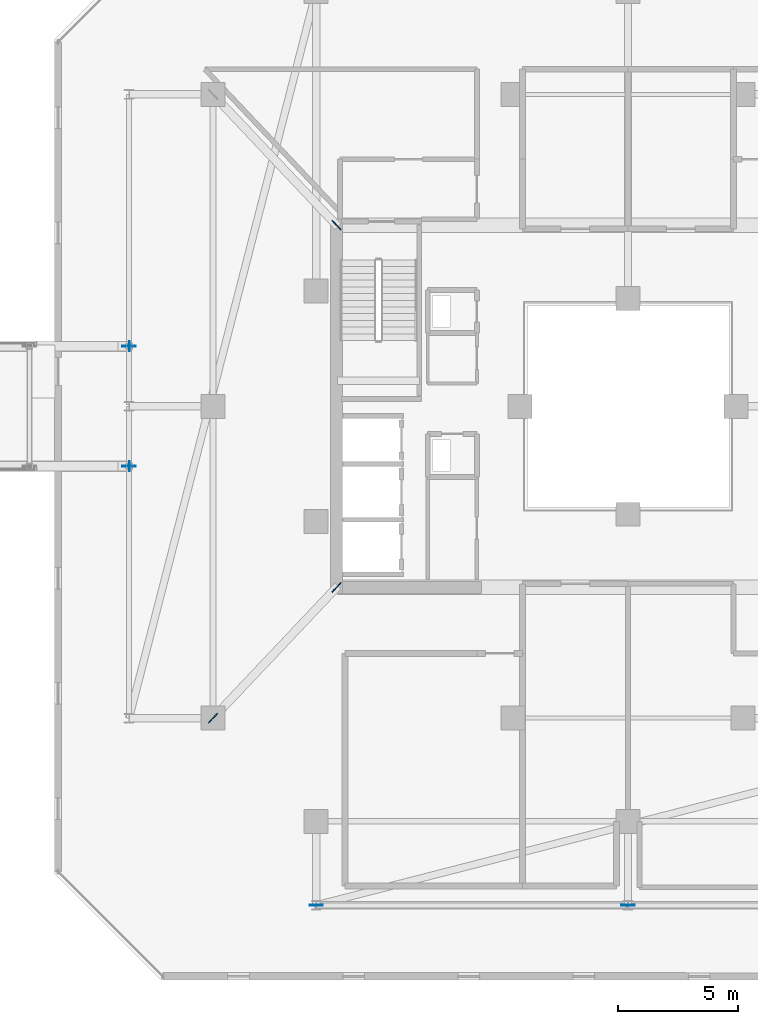
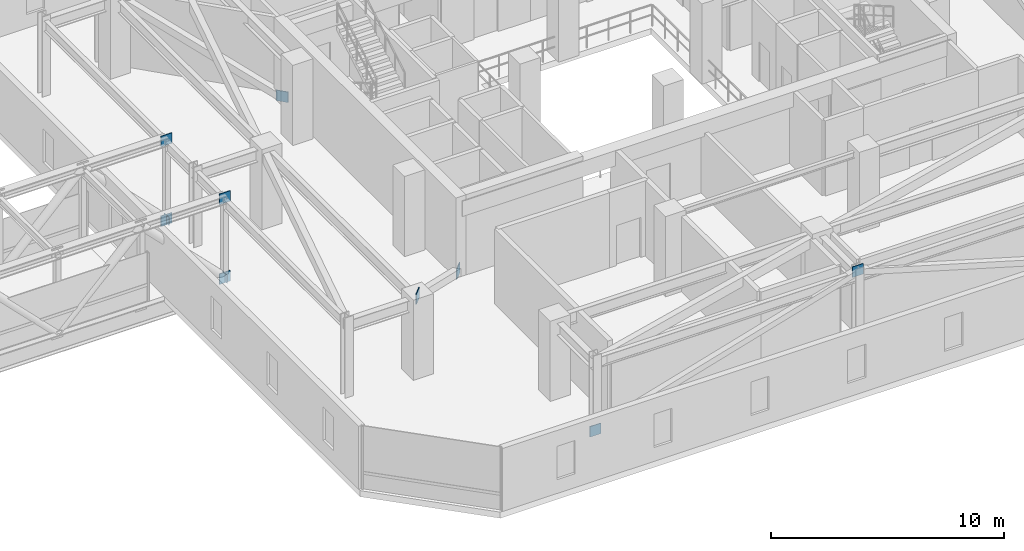
# One storey, part 31 of 42: 11 plates.
"""IFC4 building model written with IfcOpenShell, lengths in metres."""

import ifcopenshell
import ifcopenshell.guid

model = None  # the IFC model being written
_history = None  # IfcOwnerHistory: only IFC2X3 demands one
_inside = {}  # id of a spatial element -> (the spatial element, [elements in it])
_under = {}  # id of a project, library or spatial element -> (it, [spatial elements below it])
_declared = {}  # id of a project -> (the project, [libraries it declares])
_typed = {}  # id of a type object -> (the type object, [elements of that type])
_made_of = {}  # id of a material, layer set ... -> (it, [elements and type objects made of it])


def new_model(schema):
    """Start an empty IFC model of exactly this schema.

    Asked for "IFC4X3", IfcOpenShell would pick the latest addendum, in which some entities
    have other attributes; the version numbers below select the first issue.
    IFC2X3 requires an IfcOwnerHistory on every rooted entity: one is made here for all.
    """
    global model, _history
    if schema == "IFC4X3":
        model = ifcopenshell.file(schema_version=(4, 3, 0, 0))
    else:
        model = ifcopenshell.file(schema=schema)
    _inside.clear()
    _under.clear()
    _declared.clear()
    _typed.clear()
    _made_of.clear()
    _history = None
    if model.schema == "IFC2X3":
        org = make("IfcOrganization", Name="unknown")
        user = make(
            "IfcPersonAndOrganization",
            ThePerson=make("IfcPerson", FamilyName="unknown"),
            TheOrganization=org,
        )
        app = make(
            "IfcApplication",
            ApplicationDeveloper=org,
            Version="unknown",
            ApplicationFullName="unknown",
            ApplicationIdentifier="unknown",
        )
        _history = make(
            "IfcOwnerHistory",
            OwningUser=user,
            OwningApplication=app,
            ChangeAction="ADDED",
            CreationDate=0,
        )
    return model


def make(cls, **values):
    """One entity of the class cls with the attributes given. An attribute that is None is left unset."""
    return model.create_entity(
        cls, **{name: value for name, value in values.items() if value is not None}
    )


def rooted(cls, **values):
    """An entity with a GlobalId (a new one), such as an element, a storey or a relation."""
    return make(cls, GlobalId=ifcopenshell.guid.new(), OwnerHistory=_history, **values)


def si_unit(unit_type, name, prefix=None):
    """IfcSIUnit, for example si_unit("LENGTHUNIT", "METRE", prefix="MILLI")."""
    return make("IfcSIUnit", UnitType=unit_type, Prefix=prefix, Name=name)


def assignment(units):
    """IfcUnitAssignment: the units of a project."""
    return None if units is None else make("IfcUnitAssignment", Units=units)


def point(xyz):
    """IfcCartesianPoint."""
    return None if xyz is None else make("IfcCartesianPoint", Coordinates=xyz)


def direction(xyz):
    """IfcDirection."""
    return None if xyz is None else make("IfcDirection", DirectionRatios=xyz)


def frame(location, z_axis=None, x_axis=None):
    """IfcAxis2Placement3D, a coordinate frame: its origin and axes. An axis left out is left unset."""
    return make(
        "IfcAxis2Placement3D",
        Location=point(location),
        Axis=direction(z_axis),
        RefDirection=direction(x_axis),
    )


def frame_2d(location, x_axis=None):
    """IfcAxis2Placement2D, a coordinate frame in the plane: its origin and x axis."""
    return make(
        "IfcAxis2Placement2D", Location=point(location), RefDirection=direction(x_axis)
    )


def origin():
    """The frame at (0, 0, 0) with its axes left unset."""
    return frame((0.0, 0.0, 0.0))


def origin_2d():
    """The frame at (0, 0) in the plane with its x axis left unset."""
    return frame_2d((0.0, 0.0))


def place(relative_to, where):
    """IfcLocalPlacement: puts the frame where relative to a parent placement (None: the world)."""
    return make(
        "IfcLocalPlacement", PlacementRelTo=relative_to, RelativePlacement=where
    )


def context(
    kind, dimensions, precision=None, world=None, true_north=None, identifier=None
):
    """IfcGeometricRepresentationContext, for example the 3D "Model" context."""
    return make(
        "IfcGeometricRepresentationContext",
        ContextIdentifier=identifier,
        ContextType=kind,
        CoordinateSpaceDimension=dimensions,
        Precision=precision,
        WorldCoordinateSystem=world,
        TrueNorth=true_north,
    )


def subcontext(parent, identifier, kind, view, scale=None):
    """IfcGeometricRepresentationSubContext, for example "Body" below "Model"."""
    return make(
        "IfcGeometricRepresentationSubContext",
        ContextIdentifier=identifier,
        ContextType=kind,
        ParentContext=parent,
        TargetScale=scale,
        TargetView=view,
    )


def project(units=None, contexts=None):
    """IfcProject with its units and contexts."""
    return rooted(
        "IfcProject",
        Name="project",
        RepresentationContexts=contexts,
        UnitsInContext=assignment(units),
    )


def spatial(cls, under=None, at=None, **own):
    """A site, building, storey or space (cls), placed at a placement, below another one or the project."""
    s = rooted(cls, ObjectPlacement=at, **own)
    if under is not None:
        _under.setdefault(under.id(), (under, []))[1].append(s)
    return s


def profile(cls, at=None, kind="AREA", **sizes):
    """A parametric profile (cls). Its sizes go by their IFC names, for example OverallWidth=200.0."""
    return make(cls, ProfileType=kind, Position=at, **sizes)


def rectangle(**sizes):
    """IfcRectangleProfileDef."""
    return profile("IfcRectangleProfileDef", **sizes)


def extrude(swept, where, along, depth):
    """IfcExtrudedAreaSolid: the profile swept, set in the frame where, extruded along a direction by depth."""
    return make(
        "IfcExtrudedAreaSolid",
        SweptArea=swept,
        Position=where,
        ExtrudedDirection=direction(along),
        Depth=depth,
    )


def shape(context_of_items, identifier, shape_type, items):
    """IfcShapeRepresentation: the items that make up one representation, for example the "Body"."""
    return make(
        "IfcShapeRepresentation",
        ContextOfItems=context_of_items,
        RepresentationIdentifier=identifier,
        RepresentationType=shape_type,
        Items=items,
    )


def material(Name=None, Category=None):
    """IfcMaterial."""
    return make("IfcMaterial", Name=Name, Category=Category)


def layer(
    of_material, thickness, ventilated=None, Name=None, Category=None, Priority=None
):
    """IfcMaterialLayer: one layer of a wall or slab, of a material (None: an air gap)."""
    return make(
        "IfcMaterialLayer",
        Material=of_material,
        LayerThickness=thickness,
        IsVentilated=ventilated,
        Name=Name,
        Category=Category,
        Priority=Priority,
    )


def layer_set(layers, Name=None):
    """IfcMaterialLayerSet."""
    return make("IfcMaterialLayerSet", MaterialLayers=layers, LayerSetName=Name)


def made_of(thing, what):
    """Note that an element or type object is made of a material, layer set ...; save() writes the relation."""
    if what is not None:
        _made_of.setdefault(what.id(), (what, []))[1].append(thing)
    return thing


def type_object(cls, material=None, **own):
    """A type object (cls), such as IfcWallType, which elements share."""
    return made_of(rooted(cls, **own), material)


def element(
    cls,
    number,
    at=None,
    inside=None,
    cuts=None,
    type_object=None,
    material=None,
    context=None,
    identifier="Body",
    shape_type=None,
    held_by="IfcProductDefinitionShape",
    body=None,
    shapes=None,
    **own,
):
    """One element of the class cls, such as IfcWall. Its Tag is "e" and its number.

    at: its placement. inside: the storey or other place that contains it. cuts: it is an
    opening in that element (IfcRelVoidsElement). A single representation is given by context,
    identifier, shape_type and body (its items); several are given by shapes. held_by: the class
    of the entity that holds the representations. save() writes the other relations.
    """
    e = rooted(cls, Tag="e%d" % number, ObjectPlacement=at, **own)
    if body is not None:
        shapes = [shape(context, identifier, shape_type, body)]
    if shapes is not None:
        e.Representation = make(held_by, Representations=shapes)
    if inside is not None:
        _inside.setdefault(inside.id(), (inside, []))[1].append(e)
    if cuts is not None:
        rooted(
            "IfcRelVoidsElement", RelatingBuildingElement=cuts, RelatedOpeningElement=e
        )
    if type_object is not None:
        _typed.setdefault(type_object.id(), (type_object, []))[1].append(e)
    return made_of(e, material)


def aggregate(whole, parts):
    """IfcRelAggregates: a whole, such as a stair, and the parts it consists of."""
    return rooted("IfcRelAggregates", RelatingObject=whole, RelatedObjects=parts)


def save(model, path):
    """Write the relations noted so far, then the file.

    IfcRelAggregates (storeys below a building ...), IfcRelContainedInSpatialStructure (elements
    in a storey), IfcRelDefinesByType, IfcRelAssociatesMaterial and IfcRelDeclares: one each for
    every whole, place, type object, material and project.
    """
    for whole, parts in _under.values():
        aggregate(whole, parts)
    for where, things in _inside.values():
        rooted(
            "IfcRelContainedInSpatialStructure",
            RelatedElements=things,
            RelatingStructure=where,
        )
    for kind, things in _typed.values():
        rooted("IfcRelDefinesByType", RelatedObjects=things, RelatingType=kind)
    for what, things in _made_of.values():
        rooted("IfcRelAssociatesMaterial", RelatedObjects=things, RelatingMaterial=what)
    for by, libraries in _declared.values():
        rooted("IfcRelDeclares", RelatingContext=by, RelatedDefinitions=libraries)
    model.write(path)


model = new_model("IFC4")

# Units and contexts
model_context = context("Model", 3, precision=1e-05, world=origin(), true_north=direction((0.0, 1.0)))
body_context = subcontext(model_context, "Body", "Model", "MODEL_VIEW")
ifc_project = project(units=[si_unit("LENGTHUNIT", "METRE"), si_unit("AREAUNIT", "SQUARE_METRE"), si_unit("VOLUMEUNIT", "CUBIC_METRE"), si_unit("PLANEANGLEUNIT", "RADIAN"), si_unit("MASSUNIT", "GRAM", prefix="KILO")], contexts=[model_context])

# Site, building, storey
site_placement = place(None, origin())
site = spatial("IfcSite", under=ifc_project, at=site_placement, CompositionType="ELEMENT")
building_placement = place(site_placement, origin())
building = spatial("IfcBuilding", under=site, at=building_placement, Name="Thornwick Lancets Civic Towers", CompositionType="ELEMENT")
storey_placement = place(building_placement, frame((0.0, 0.0, 221.699951171875)))
storey = spatial("IfcBuildingStorey", under=building, at=storey_placement, Name="L59", CompositionType="ELEMENT", Elevation=221.699951171875)

# Plates
ifc_material_1 = material(Name="Steel S355JR", Category="steel")
ifc_layer_1 = layer(ifc_material_1, 0.02490234375, Name="Steel S355JR")
ifc_layer_set_1 = layer_set([ifc_layer_1], Name="Steel S355JR")
plate_type_1 = type_object("IfcPlateType", Name="PLT_ENDCAP_25", PredefinedType="USERDEFINED", material=ifc_layer_set_1)
for number, where, z_axis, x_axis, name in (
    (1, (67.719970703125, 24.5, -0.429931640625), (0.0, 0.0, 1.0), (1.0, 0.0, 0.0), "L59 Skybridge End Cap 1-E"),
    (2, (67.719970703125, 29.5, -0.429931640625), (0.0, 0.0, 1.0), (1.0, 0.0, 0.0), "L59 Skybridge End Cap 2-E"),
):
    element("IfcPlate", number, at=place(storey_placement, frame(where, z_axis=z_axis, x_axis=x_axis)), inside=storey, type_object=plate_type_1, Name=name, ObjectType="END_CAP_PLATE", PredefinedType="USERDEFINED", context=body_context, shape_type="SweptSolid", body=[
        extrude(rectangle(XDim=0.02490234375, YDim=0.419921875, at=origin_2d()), origin(), (0.0, 0.0, 1.0), 0.419921875),
    ])
ifc_material_2 = material(Name="Steel S460M", Category="steel")
ifc_layer_2 = layer(ifc_material_2, 0.0400390625, Name="Steel S460M")
ifc_layer_set_2 = layer_set([ifc_layer_2], Name="Steel S460M")
plate_type_2 = type_object("IfcPlateType", Name="PLT_GUSSET_40", PredefinedType="USERDEFINED", material=ifc_layer_set_2)
for number, where, z_axis, x_axis, name in (
    (3, (67.699951171875, 24.5, -0.4951171875), (0.0, 0.0, 1.0), (1.0, 0.0, 0.0), "L59 Brace Connection Gusset Plate 0323"),
    (4, (67.699951171875, 24.5, 3.68505859375), (0.0, 0.0, 1.0), (1.0, 0.0, 0.0), "L59 Brace Connection Gusset Plate 0324"),
    (5, (67.699951171875, 29.5, -0.4951171875), (0.0, 0.0, 1.0), (1.0, 0.0, 0.0), "L59 Brace Connection Gusset Plate 0337"),
    (6, (67.699951171875, 29.5, 3.68505859375), (0.0, 0.0, 1.0), (1.0, 0.0, 0.0), "L59 Brace Connection Gusset Plate 0338"),
    (7, (88.5, 6.199951171875, 3.68505859375), (0.0, 0.0, 1.0), (-1.0, 0.0, 0.0), "L59 Brace Connection Gusset Plate 0363"),
    (8, (75.5, 6.199951171875, -0.125), (0.0, 0.0, 1.0), (1.0, 0.0, 0.0), "L59 Brace Connection Gusset Plate 0364"),
    (9, (76.35009765625, 19.449951171875, -0.125), (0.0, 0.0, 1.0), (-0.686833846544, -0.726814465487, 0.0), "L59 Brace Connection Gusset Plate 0369"),
    (10, (71.199951171875, 14.0, 3.68505859375), (0.0, 0.0, 1.0), (-0.686833846544, -0.726814465487, 0.0), "L59 Brace Connection Gusset Plate 0370"),
    (11, (76.35009765625, 34.550048828125, -0.125), (0.0, 0.0, 1.0), (-0.686833846544, 0.726814465487, 0.0), "L59 Brace Connection Gusset Plate 0371"),
):
    element("IfcPlate", number, at=place(storey_placement, frame(where, z_axis=z_axis, x_axis=x_axis)), inside=storey, type_object=plate_type_2, Name=name, ObjectType="GUSSET_PLATE", PredefinedType="USERDEFINED", context=body_context, shape_type="SweptSolid", body=[
        extrude(rectangle(XDim=0.550048828125, YDim=0.0400390625, at=origin_2d()), origin(), (0.0, 0.0, 1.0), 0.550048828125),
    ])

save(model, "model.ifc")
